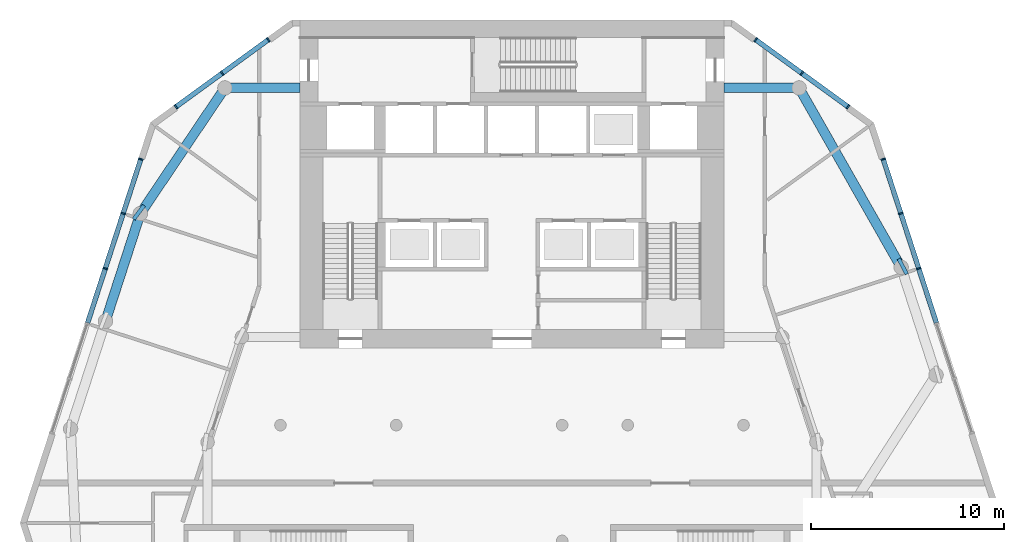
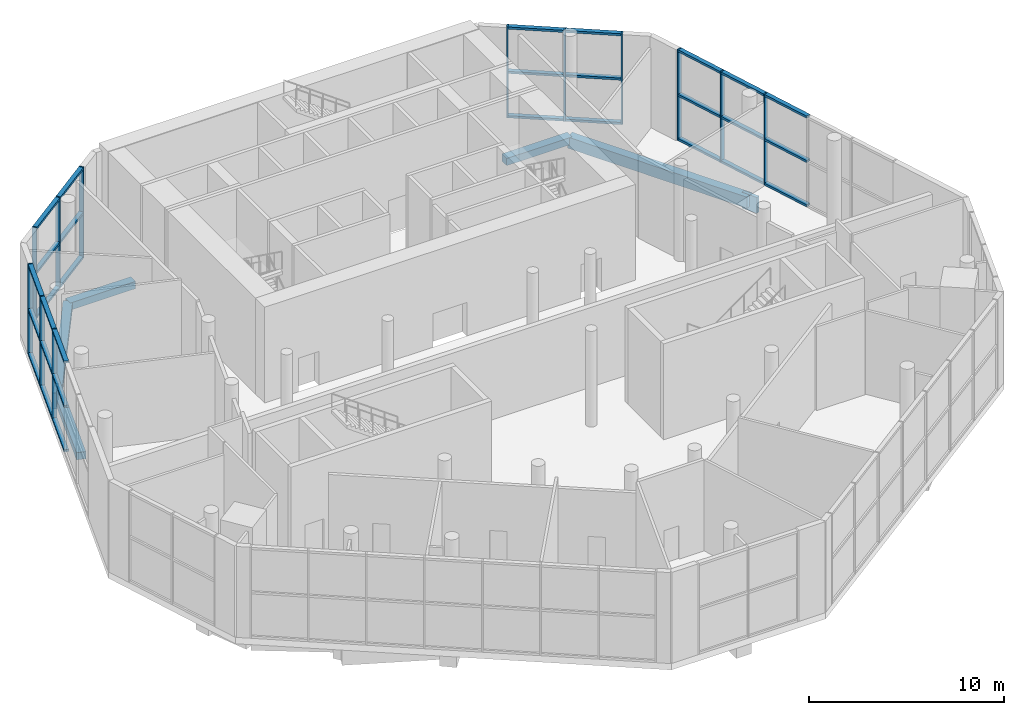
# One storey, part 5 of 14: 42 members, 7 beams, 4 elements without a shape of their own.
"""IFC4 building model written with IfcOpenShell, lengths in metres."""

from ifc_helpers import new_model, si_unit, direction, frame, origin, origin_2d, place, context, subcontext, project, spatial, rectangle, extrude, material, material_profile, profile_set, type_object, element, aggregate, save


model = new_model("IFC4")

# Units and contexts
model_context = context("Model", 3, precision=1e-05, world=origin(), true_north=direction((0.0, 1.0)))
body_context = subcontext(model_context, "Body", "Model", "MODEL_VIEW")
ifc_project = project(units=[si_unit("LENGTHUNIT", "METRE"), si_unit("AREAUNIT", "SQUARE_METRE"), si_unit("VOLUMEUNIT", "CUBIC_METRE"), si_unit("PLANEANGLEUNIT", "RADIAN"), si_unit("MASSUNIT", "GRAM", prefix="KILO")], contexts=[model_context])

# Site, building, storey
site_placement = place(None, origin())
site = spatial("IfcSite", under=ifc_project, at=site_placement, CompositionType="ELEMENT")
building_placement = place(site_placement, origin())
building = spatial("IfcBuilding", under=site, at=building_placement, Name="White Candle Pilgrim Tower", CompositionType="ELEMENT")
storey_placement = place(building_placement, frame((0.0, 0.0, 142.60009765625)))
storey = spatial("IfcBuildingStorey", under=building, at=storey_placement, Name="L32", CompositionType="ELEMENT", Elevation=142.60009765625)

# Curtain wall, members
ifc_material_1 = material(Name="Aluminium and glass", Category="aluminium")
curtain_wall_type = type_object("IfcCurtainWallType", Name="Curtain wall CW4 sky floor glazing", PredefinedType="NOTDEFINED", material=ifc_material_1)
curtain_wall_1_placement = place(storey_placement, origin())
curtain_wall_1 = element("IfcCurtainWall", 1, at=curtain_wall_1_placement, inside=storey, type_object=curtain_wall_type, Name="Curtain wall CW4 L32 ENE", PredefinedType="NOTDEFINED")
ifc_material_2 = material(Name="Aluminium", Category="aluminium")
ifc_material_profile_1 = material_profile(ifc_material_2, rectangle(XDim=0.25, YDim=0.080078125, at=origin_2d()), Name="CW4 mullion 80x250")
ifc_profile_set_1 = profile_set([ifc_material_profile_1], Name="Aluminium")
member_type_1 = type_object("IfcMemberType", Name="CW4 mullion 80x250", PredefinedType="MULLION", material=ifc_profile_set_1)
member_1_placement = place(storey_placement, frame((91.083251953125, 75.11669921875, 0.0), z_axis=(0.0, 0.0, 1.0), x_axis=(-0.951056511069, -0.309017010459, 0.0)))
member_1 = element("IfcMember", 2, at=member_1_placement, type_object=member_type_1, Name="CW4 mullion 4", PredefinedType="MULLION", context=body_context, shape_type="SweptSolid", body=[
    extrude(rectangle(XDim=0.25, YDim=0.080078125, at=origin_2d()), origin(), (0.0, 0.0, 1.0), 5.699951171875),
])
member_2_placement = place(storey_placement, frame((90.156005859375, 77.9697265625, 0.0), z_axis=(0.0, 0.0, 1.0), x_axis=(-0.951056511069, -0.309017010459, 0.0)))
member_2 = element("IfcMember", 3, at=member_2_placement, type_object=member_type_1, Name="CW4 mullion 5", PredefinedType="MULLION", context=body_context, shape_type="SweptSolid", body=[
    extrude(rectangle(XDim=0.25, YDim=0.080078125, at=origin_2d()), origin(), (0.0, 0.0, 1.0), 5.699951171875),
])
member_3_placement = place(storey_placement, frame((89.241455078125, 80.784912109375, 0.0), z_axis=(0.0, 0.0, 1.0), x_axis=(-0.951056511069, -0.309017010459, 0.0)))
member_3 = element("IfcMember", 4, at=member_3_placement, type_object=member_type_1, Name="CW4 mullion 6", PredefinedType="MULLION", context=body_context, shape_type="SweptSolid", body=[
    extrude(rectangle(XDim=0.25, YDim=0.080078125, at=origin_2d()), origin(), (0.0, 0.0, 1.0), 5.699951171875),
])

curtain_wall_2_placement = place(storey_placement, origin())
curtain_wall_2 = element("IfcCurtainWall", 5, at=curtain_wall_2_placement, inside=storey, type_object=curtain_wall_type, Name="Curtain wall CW4 L32 NE chamfer", PredefinedType="NOTDEFINED")
member_4_placement = place(storey_placement, frame((87.41796875, 83.5, 0.0), z_axis=(0.0, 0.0, 1.0), x_axis=(-0.587785276254, -0.809016976966, 0.0)))
member_4 = element("IfcMember", 6, at=member_4_placement, type_object=member_type_1, Name="CW4 mullion 1", PredefinedType="MULLION", context=body_context, shape_type="SweptSolid", body=[
    extrude(rectangle(XDim=0.25, YDim=0.080078125, at=origin_2d()), origin(), (0.0, 0.0, 1.0), 5.699951171875),
])
member_5_placement = place(storey_placement, frame((85.023193359375, 85.239990234375, 0.0), z_axis=(0.0, 0.0, 1.0), x_axis=(-0.587785276254, -0.809016976966, 0.0)))
member_5 = element("IfcMember", 7, at=member_5_placement, type_object=member_type_1, Name="CW4 mullion 2", PredefinedType="MULLION", context=body_context, shape_type="SweptSolid", body=[
    extrude(rectangle(XDim=0.25, YDim=0.080078125, at=origin_2d()), origin(), (0.0, 0.0, 1.0), 5.699951171875),
])
member_6_placement = place(storey_placement, frame((82.628662109375, 86.979736328125, 0.0), z_axis=(0.0, 0.0, 1.0), x_axis=(-0.587785276254, -0.809016976966, 0.0)))
member_6 = element("IfcMember", 8, at=member_6_placement, type_object=member_type_1, Name="CW4 mullion 3", PredefinedType="MULLION", context=body_context, shape_type="SweptSolid", body=[
    extrude(rectangle(XDim=0.25, YDim=0.080078125, at=origin_2d()), origin(), (0.0, 0.0, 1.0), 5.699951171875),
])

curtain_wall_3_placement = place(storey_placement, origin())
curtain_wall_3 = element("IfcCurtainWall", 9, at=curtain_wall_3_placement, inside=storey, type_object=curtain_wall_type, Name="Curtain wall CW4 L32 NW chamfer", PredefinedType="NOTDEFINED")
member_7_placement = place(storey_placement, frame((57.371337890625, 86.979736328125, 0.0), z_axis=(0.0, 0.0, 1.0), x_axis=(0.587785276254, -0.809016976966, 0.0)))
member_7 = element("IfcMember", 10, at=member_7_placement, type_object=member_type_1, Name="CW4 mullion 1", PredefinedType="MULLION", context=body_context, shape_type="SweptSolid", body=[
    extrude(rectangle(XDim=0.25, YDim=0.080078125, at=origin_2d()), origin(), (0.0, 0.0, 1.0), 5.699951171875),
])
member_8_placement = place(storey_placement, frame((54.976806640625, 85.239990234375, 0.0), z_axis=(0.0, 0.0, 1.0), x_axis=(0.587785276254, -0.809016976966, 0.0)))
member_8 = element("IfcMember", 11, at=member_8_placement, type_object=member_type_1, Name="CW4 mullion 2", PredefinedType="MULLION", context=body_context, shape_type="SweptSolid", body=[
    extrude(rectangle(XDim=0.25, YDim=0.080078125, at=origin_2d()), origin(), (0.0, 0.0, 1.0), 5.699951171875),
])
member_9_placement = place(storey_placement, frame((52.58203125, 83.5, 0.0), z_axis=(0.0, 0.0, 1.0), x_axis=(0.587785276254, -0.809016976966, 0.0)))
member_9 = element("IfcMember", 12, at=member_9_placement, type_object=member_type_1, Name="CW4 mullion 3", PredefinedType="MULLION", context=body_context, shape_type="SweptSolid", body=[
    extrude(rectangle(XDim=0.25, YDim=0.080078125, at=origin_2d()), origin(), (0.0, 0.0, 1.0), 5.699951171875),
])

curtain_wall_4_placement = place(storey_placement, origin())
curtain_wall_4 = element("IfcCurtainWall", 13, at=curtain_wall_4_placement, inside=storey, type_object=curtain_wall_type, Name="Curtain wall CW4 L32 WNW", PredefinedType="NOTDEFINED")
member_10_placement = place(storey_placement, frame((50.758544921875, 80.784912109375, 0.0), z_axis=(0.0, 0.0, 1.0), x_axis=(0.951056511085, -0.30901701041, 0.0)))
member_10 = element("IfcMember", 14, at=member_10_placement, type_object=member_type_1, Name="CW4 mullion 1", PredefinedType="MULLION", context=body_context, shape_type="SweptSolid", body=[
    extrude(rectangle(XDim=0.25, YDim=0.080078125, at=origin_2d()), origin(), (0.0, 0.0, 1.0), 5.699951171875),
])
member_11_placement = place(storey_placement, frame((49.843994140625, 77.9697265625, 0.0), z_axis=(0.0, 0.0, 1.0), x_axis=(0.951056511085, -0.30901701041, 0.0)))
member_11 = element("IfcMember", 15, at=member_11_placement, type_object=member_type_1, Name="CW4 mullion 2", PredefinedType="MULLION", context=body_context, shape_type="SweptSolid", body=[
    extrude(rectangle(XDim=0.25, YDim=0.080078125, at=origin_2d()), origin(), (0.0, 0.0, 1.0), 5.699951171875),
])
member_12_placement = place(storey_placement, frame((48.916748046875, 75.11669921875, 0.0), z_axis=(0.0, 0.0, 1.0), x_axis=(0.951056511085, -0.30901701041, 0.0)))
member_12 = element("IfcMember", 16, at=member_12_placement, type_object=member_type_1, Name="CW4 mullion 3", PredefinedType="MULLION", context=body_context, shape_type="SweptSolid", body=[
    extrude(rectangle(XDim=0.25, YDim=0.080078125, at=origin_2d()), origin(), (0.0, 0.0, 1.0), 5.699951171875),
])

# Member
ifc_material_profile_2 = material_profile(ifc_material_2, rectangle(XDim=0.25, YDim=0.139892578125, at=origin_2d()), Name="CW4 transom 140x250")
ifc_profile_set_2 = profile_set([ifc_material_profile_2], Name="Aluminium")
member_type_2 = type_object("IfcMemberType", Name="CW4 transom 140x250", PredefinedType="USERDEFINED", material=ifc_profile_set_2)
member_13_placement = place(storey_placement, frame((91.997802734375, 72.301513671875, 0.06982421875), z_axis=(-0.309019902571, 0.95105557136, 0.0), x_axis=(-0.95105557136, -0.309019902571, 0.0)))
member_13 = element("IfcMember", 17, at=member_13_placement, type_object=member_type_2, Name="CW4 transom 3.1", ObjectType="TRANSOM", PredefinedType="USERDEFINED", context=body_context, shape_type="SweptSolid", body=[
    extrude(rectangle(XDim=0.25, YDim=0.139892578125, at=origin_2d()), origin(), (0.0, 0.0, 1.0), 2.919921875),
])

member_14_placement = place(storey_placement, frame((91.997802734375, 72.301513671875, 2.849853515625), z_axis=(-0.309019902571, 0.95105557136, 0.0), x_axis=(-0.95105557136, -0.309019902571, 0.0)))
member_14 = element("IfcMember", 18, at=member_14_placement, type_object=member_type_2, Name="CW4 transom 3.2", ObjectType="TRANSOM", PredefinedType="USERDEFINED", context=body_context, shape_type="SweptSolid", body=[
    extrude(rectangle(XDim=0.25, YDim=0.139892578125, at=origin_2d()), origin(), (0.0, 0.0, 1.0), 2.919921875),
])

member_15_placement = place(storey_placement, frame((91.997802734375, 72.301513671875, 5.6298828125), z_axis=(-0.309019902571, 0.95105557136, 0.0), x_axis=(-0.95105557136, -0.309019902571, 0.0)))
member_15 = element("IfcMember", 19, at=member_15_placement, type_object=member_type_2, Name="CW4 transom 3.3", ObjectType="TRANSOM", PredefinedType="USERDEFINED", context=body_context, shape_type="SweptSolid", body=[
    extrude(rectangle(XDim=0.25, YDim=0.139892578125, at=origin_2d()), origin(), (0.0, 0.0, 1.0), 2.919921875),
])

member_16_placement = place(storey_placement, frame((91.07080078125, 75.15478515625, 0.06982421875), z_axis=(-0.309019902571, 0.95105557136, 0.0), x_axis=(-0.95105557136, -0.309019902571, 0.0)))
member_16 = element("IfcMember", 20, at=member_16_placement, type_object=member_type_2, Name="CW4 transom 4.1", ObjectType="TRANSOM", PredefinedType="USERDEFINED", context=body_context, shape_type="SweptSolid", body=[
    extrude(rectangle(XDim=0.25, YDim=0.139892578125, at=origin_2d()), origin(), (0.0, 0.0, 1.0), 2.919921875),
])

member_17_placement = place(storey_placement, frame((91.07080078125, 75.15478515625, 2.849853515625), z_axis=(-0.309019902571, 0.95105557136, 0.0), x_axis=(-0.95105557136, -0.309019902571, 0.0)))
member_17 = element("IfcMember", 21, at=member_17_placement, type_object=member_type_2, Name="CW4 transom 4.2", ObjectType="TRANSOM", PredefinedType="USERDEFINED", context=body_context, shape_type="SweptSolid", body=[
    extrude(rectangle(XDim=0.25, YDim=0.139892578125, at=origin_2d()), origin(), (0.0, 0.0, 1.0), 2.919921875),
])

member_18_placement = place(storey_placement, frame((91.07080078125, 75.15478515625, 5.6298828125), z_axis=(-0.309019902571, 0.95105557136, 0.0), x_axis=(-0.95105557136, -0.309019902571, 0.0)))
member_18 = element("IfcMember", 22, at=member_18_placement, type_object=member_type_2, Name="CW4 transom 4.3", ObjectType="TRANSOM", PredefinedType="USERDEFINED", context=body_context, shape_type="SweptSolid", body=[
    extrude(rectangle(XDim=0.25, YDim=0.139892578125, at=origin_2d()), origin(), (0.0, 0.0, 1.0), 2.919921875),
])

member_19_placement = place(storey_placement, frame((90.143798828125, 78.0078125, 0.06982421875), z_axis=(-0.309072654729, 0.951038429349, 0.0), x_axis=(-0.951038429349, -0.309072654729, 0.0)))
member_19 = element("IfcMember", 23, at=member_19_placement, type_object=member_type_2, Name="CW4 transom 5.1", ObjectType="TRANSOM", PredefinedType="USERDEFINED", context=body_context, shape_type="SweptSolid", body=[
    extrude(rectangle(XDim=0.25, YDim=0.139892578125, at=origin_2d()), origin(), (0.0, 0.0, 1.0), 2.880126953125),
])

member_20_placement = place(storey_placement, frame((90.143798828125, 78.0078125, 2.849853515625), z_axis=(-0.309072654729, 0.951038429349, 0.0), x_axis=(-0.951038429349, -0.309072654729, 0.0)))
member_20 = element("IfcMember", 24, at=member_20_placement, type_object=member_type_2, Name="CW4 transom 5.2", ObjectType="TRANSOM", PredefinedType="USERDEFINED", context=body_context, shape_type="SweptSolid", body=[
    extrude(rectangle(XDim=0.25, YDim=0.139892578125, at=origin_2d()), origin(), (0.0, 0.0, 1.0), 2.880126953125),
])

member_21_placement = place(storey_placement, frame((90.143798828125, 78.0078125, 5.6298828125), z_axis=(-0.309072654729, 0.951038429349, 0.0), x_axis=(-0.951038429349, -0.309072654729, 0.0)))
member_21 = element("IfcMember", 25, at=member_21_placement, type_object=member_type_2, Name="CW4 transom 5.3", ObjectType="TRANSOM", PredefinedType="USERDEFINED", context=body_context, shape_type="SweptSolid", body=[
    extrude(rectangle(XDim=0.25, YDim=0.139892578125, at=origin_2d()), origin(), (0.0, 0.0, 1.0), 2.880126953125),
])

aggregate(curtain_wall_1, [member_1, member_2, member_3, member_13, member_14, member_15, member_16, member_17, member_18, member_19, member_20, member_21])

member_22_placement = place(storey_placement, frame((87.385498046875, 83.523681640625, 0.06982421875), z_axis=(-0.808992618726, 0.587818801032, 0.0), x_axis=(-0.587818801032, -0.808992618726, 0.0)))
member_22 = element("IfcMember", 26, at=member_22_placement, type_object=member_type_2, Name="CW4 transom 1.1", ObjectType="TRANSOM", PredefinedType="USERDEFINED", context=body_context, shape_type="SweptSolid", body=[
    extrude(rectangle(XDim=0.25, YDim=0.139892578125, at=origin_2d()), origin(), (0.0, 0.0, 1.0), 2.8798828125),
])

member_23_placement = place(storey_placement, frame((87.385498046875, 83.523681640625, 2.849853515625), z_axis=(-0.808992618726, 0.587818801032, 0.0), x_axis=(-0.587818801032, -0.808992618726, 0.0)))
member_23 = element("IfcMember", 27, at=member_23_placement, type_object=member_type_2, Name="CW4 transom 1.2", ObjectType="TRANSOM", PredefinedType="USERDEFINED", context=body_context, shape_type="SweptSolid", body=[
    extrude(rectangle(XDim=0.25, YDim=0.139892578125, at=origin_2d()), origin(), (0.0, 0.0, 1.0), 2.8798828125),
])

member_24_placement = place(storey_placement, frame((87.385498046875, 83.523681640625, 5.6298828125), z_axis=(-0.808992618726, 0.587818801032, 0.0), x_axis=(-0.587818801032, -0.808992618726, 0.0)))
member_24 = element("IfcMember", 28, at=member_24_placement, type_object=member_type_2, Name="CW4 transom 1.3", ObjectType="TRANSOM", PredefinedType="USERDEFINED", context=body_context, shape_type="SweptSolid", body=[
    extrude(rectangle(XDim=0.25, YDim=0.139892578125, at=origin_2d()), origin(), (0.0, 0.0, 1.0), 2.8798828125),
])

member_25_placement = place(storey_placement, frame((84.990966796875, 85.263427734375, 0.06982421875), z_axis=(-0.809021907548, 0.58777848983, 0.0), x_axis=(-0.58777848983, -0.809021907548, 0.0)))
member_25 = element("IfcMember", 29, at=member_25_placement, type_object=member_type_2, Name="CW4 transom 2.1", ObjectType="TRANSOM", PredefinedType="USERDEFINED", context=body_context, shape_type="SweptSolid", body=[
    extrude(rectangle(XDim=0.25, YDim=0.139892578125, at=origin_2d()), origin(), (0.0, 0.0, 1.0), 2.880126953125),
])

member_26_placement = place(storey_placement, frame((84.990966796875, 85.263427734375, 2.849853515625), z_axis=(-0.809021907548, 0.58777848983, 0.0), x_axis=(-0.58777848983, -0.809021907548, 0.0)))
member_26 = element("IfcMember", 30, at=member_26_placement, type_object=member_type_2, Name="CW4 transom 2.2", ObjectType="TRANSOM", PredefinedType="USERDEFINED", context=body_context, shape_type="SweptSolid", body=[
    extrude(rectangle(XDim=0.25, YDim=0.139892578125, at=origin_2d()), origin(), (0.0, 0.0, 1.0), 2.880126953125),
])

member_27_placement = place(storey_placement, frame((84.990966796875, 85.263427734375, 5.6298828125), z_axis=(-0.809021907548, 0.58777848983, 0.0), x_axis=(-0.58777848983, -0.809021907548, 0.0)))
member_27 = element("IfcMember", 31, at=member_27_placement, type_object=member_type_2, Name="CW4 transom 2.3", ObjectType="TRANSOM", PredefinedType="USERDEFINED", context=body_context, shape_type="SweptSolid", body=[
    extrude(rectangle(XDim=0.25, YDim=0.139892578125, at=origin_2d()), origin(), (0.0, 0.0, 1.0), 2.880126953125),
])

aggregate(curtain_wall_2, [member_4, member_5, member_6, member_22, member_23, member_24, member_25, member_26, member_27])

member_28_placement = place(storey_placement, frame((57.339111328125, 86.956298828125, 0.06982421875), z_axis=(-0.809021907548, -0.58777848983, 0.0), x_axis=(0.58777848983, -0.809021907548, 0.0)))
member_28 = element("IfcMember", 32, at=member_28_placement, type_object=member_type_2, Name="CW4 transom 1.1", ObjectType="TRANSOM", PredefinedType="USERDEFINED", context=body_context, shape_type="SweptSolid", body=[
    extrude(rectangle(XDim=0.25, YDim=0.139892578125, at=origin_2d()), origin(), (0.0, 0.0, 1.0), 2.880126953125),
])

member_29_placement = place(storey_placement, frame((57.339111328125, 86.956298828125, 2.849853515625), z_axis=(-0.809021907548, -0.58777848983, 0.0), x_axis=(0.58777848983, -0.809021907548, 0.0)))
member_29 = element("IfcMember", 33, at=member_29_placement, type_object=member_type_2, Name="CW4 transom 1.2", ObjectType="TRANSOM", PredefinedType="USERDEFINED", context=body_context, shape_type="SweptSolid", body=[
    extrude(rectangle(XDim=0.25, YDim=0.139892578125, at=origin_2d()), origin(), (0.0, 0.0, 1.0), 2.880126953125),
])

member_30_placement = place(storey_placement, frame((57.339111328125, 86.956298828125, 5.6298828125), z_axis=(-0.809021907548, -0.58777848983, 0.0), x_axis=(0.58777848983, -0.809021907548, 0.0)))
member_30 = element("IfcMember", 34, at=member_30_placement, type_object=member_type_2, Name="CW4 transom 1.3", ObjectType="TRANSOM", PredefinedType="USERDEFINED", context=body_context, shape_type="SweptSolid", body=[
    extrude(rectangle(XDim=0.25, YDim=0.139892578125, at=origin_2d()), origin(), (0.0, 0.0, 1.0), 2.880126953125),
])

member_31_placement = place(storey_placement, frame((54.9443359375, 85.216552734375, 0.06982421875), z_axis=(-0.808992618726, -0.587818801032, 0.0), x_axis=(0.587818801032, -0.808992618726, 0.0)))
member_31 = element("IfcMember", 35, at=member_31_placement, type_object=member_type_2, Name="CW4 transom 2.1", ObjectType="TRANSOM", PredefinedType="USERDEFINED", context=body_context, shape_type="SweptSolid", body=[
    extrude(rectangle(XDim=0.25, YDim=0.139892578125, at=origin_2d()), origin(), (0.0, 0.0, 1.0), 2.8798828125),
])

member_32_placement = place(storey_placement, frame((54.9443359375, 85.216552734375, 2.849853515625), z_axis=(-0.808992618726, -0.587818801032, 0.0), x_axis=(0.587818801032, -0.808992618726, 0.0)))
member_32 = element("IfcMember", 36, at=member_32_placement, type_object=member_type_2, Name="CW4 transom 2.2", ObjectType="TRANSOM", PredefinedType="USERDEFINED", context=body_context, shape_type="SweptSolid", body=[
    extrude(rectangle(XDim=0.25, YDim=0.139892578125, at=origin_2d()), origin(), (0.0, 0.0, 1.0), 2.8798828125),
])

member_33_placement = place(storey_placement, frame((54.9443359375, 85.216552734375, 5.6298828125), z_axis=(-0.808992618726, -0.587818801032, 0.0), x_axis=(0.587818801032, -0.808992618726, 0.0)))
member_33 = element("IfcMember", 37, at=member_33_placement, type_object=member_type_2, Name="CW4 transom 2.3", ObjectType="TRANSOM", PredefinedType="USERDEFINED", context=body_context, shape_type="SweptSolid", body=[
    extrude(rectangle(XDim=0.25, YDim=0.139892578125, at=origin_2d()), origin(), (0.0, 0.0, 1.0), 2.8798828125),
])

aggregate(curtain_wall_3, [member_7, member_8, member_9, member_28, member_29, member_30, member_31, member_32, member_33])

member_34_placement = place(storey_placement, frame((50.746337890625, 80.746826171875, 0.06982421875), z_axis=(-0.309072654729, -0.951038429349, 0.0), x_axis=(0.951038429349, -0.309072654729, 0.0)))
member_34 = element("IfcMember", 38, at=member_34_placement, type_object=member_type_2, Name="CW4 transom 1.1", ObjectType="TRANSOM", PredefinedType="USERDEFINED", context=body_context, shape_type="SweptSolid", body=[
    extrude(rectangle(XDim=0.25, YDim=0.139892578125, at=origin_2d()), origin(), (0.0, 0.0, 1.0), 2.880126953125),
])

member_35_placement = place(storey_placement, frame((50.746337890625, 80.746826171875, 2.849853515625), z_axis=(-0.309072654729, -0.951038429349, 0.0), x_axis=(0.951038429349, -0.309072654729, 0.0)))
member_35 = element("IfcMember", 39, at=member_35_placement, type_object=member_type_2, Name="CW4 transom 1.2", ObjectType="TRANSOM", PredefinedType="USERDEFINED", context=body_context, shape_type="SweptSolid", body=[
    extrude(rectangle(XDim=0.25, YDim=0.139892578125, at=origin_2d()), origin(), (0.0, 0.0, 1.0), 2.880126953125),
])

member_36_placement = place(storey_placement, frame((50.746337890625, 80.746826171875, 5.6298828125), z_axis=(-0.309072654729, -0.951038429349, 0.0), x_axis=(0.951038429349, -0.309072654729, 0.0)))
member_36 = element("IfcMember", 40, at=member_36_placement, type_object=member_type_2, Name="CW4 transom 1.3", ObjectType="TRANSOM", PredefinedType="USERDEFINED", context=body_context, shape_type="SweptSolid", body=[
    extrude(rectangle(XDim=0.25, YDim=0.139892578125, at=origin_2d()), origin(), (0.0, 0.0, 1.0), 2.880126953125),
])

member_37_placement = place(storey_placement, frame((49.83154296875, 77.931884765625, 0.06982421875), z_axis=(-0.309019902571, -0.95105557136, 0.0), x_axis=(0.95105557136, -0.309019902571, 0.0)))
member_37 = element("IfcMember", 41, at=member_37_placement, type_object=member_type_2, Name="CW4 transom 2.1", ObjectType="TRANSOM", PredefinedType="USERDEFINED", context=body_context, shape_type="SweptSolid", body=[
    extrude(rectangle(XDim=0.25, YDim=0.139892578125, at=origin_2d()), origin(), (0.0, 0.0, 1.0), 2.919921875),
])

member_38_placement = place(storey_placement, frame((49.83154296875, 77.931884765625, 2.849853515625), z_axis=(-0.309019902571, -0.95105557136, 0.0), x_axis=(0.95105557136, -0.309019902571, 0.0)))
member_38 = element("IfcMember", 42, at=member_38_placement, type_object=member_type_2, Name="CW4 transom 2.2", ObjectType="TRANSOM", PredefinedType="USERDEFINED", context=body_context, shape_type="SweptSolid", body=[
    extrude(rectangle(XDim=0.25, YDim=0.139892578125, at=origin_2d()), origin(), (0.0, 0.0, 1.0), 2.919921875),
])

member_39_placement = place(storey_placement, frame((49.83154296875, 77.931884765625, 5.6298828125), z_axis=(-0.309019902571, -0.95105557136, 0.0), x_axis=(0.95105557136, -0.309019902571, 0.0)))
member_39 = element("IfcMember", 43, at=member_39_placement, type_object=member_type_2, Name="CW4 transom 2.3", ObjectType="TRANSOM", PredefinedType="USERDEFINED", context=body_context, shape_type="SweptSolid", body=[
    extrude(rectangle(XDim=0.25, YDim=0.139892578125, at=origin_2d()), origin(), (0.0, 0.0, 1.0), 2.919921875),
])

member_40_placement = place(storey_placement, frame((48.904541015625, 75.07861328125, 0.06982421875), z_axis=(-0.309019902571, -0.95105557136, 0.0), x_axis=(0.95105557136, -0.309019902571, 0.0)))
member_40 = element("IfcMember", 44, at=member_40_placement, type_object=member_type_2, Name="CW4 transom 3.1", ObjectType="TRANSOM", PredefinedType="USERDEFINED", context=body_context, shape_type="SweptSolid", body=[
    extrude(rectangle(XDim=0.25, YDim=0.139892578125, at=origin_2d()), origin(), (0.0, 0.0, 1.0), 2.919921875),
])

member_41_placement = place(storey_placement, frame((48.904541015625, 75.07861328125, 2.849853515625), z_axis=(-0.309019902571, -0.95105557136, 0.0), x_axis=(0.95105557136, -0.309019902571, 0.0)))
member_41 = element("IfcMember", 45, at=member_41_placement, type_object=member_type_2, Name="CW4 transom 3.2", ObjectType="TRANSOM", PredefinedType="USERDEFINED", context=body_context, shape_type="SweptSolid", body=[
    extrude(rectangle(XDim=0.25, YDim=0.139892578125, at=origin_2d()), origin(), (0.0, 0.0, 1.0), 2.919921875),
])

member_42_placement = place(storey_placement, frame((48.904541015625, 75.07861328125, 5.6298828125), z_axis=(-0.309019902571, -0.95105557136, 0.0), x_axis=(0.95105557136, -0.309019902571, 0.0)))
member_42 = element("IfcMember", 46, at=member_42_placement, type_object=member_type_2, Name="CW4 transom 3.3", ObjectType="TRANSOM", PredefinedType="USERDEFINED", context=body_context, shape_type="SweptSolid", body=[
    extrude(rectangle(XDim=0.25, YDim=0.139892578125, at=origin_2d()), origin(), (0.0, 0.0, 1.0), 2.919921875),
])

aggregate(curtain_wall_4, [member_10, member_11, member_12, member_34, member_35, member_36, member_37, member_38, member_39, member_40, member_41, member_42])

# Beams
ifc_material_3 = material(Name="Concrete C50/60", Category="concrete")
ifc_material_profile_3 = material_profile(ifc_material_3, rectangle(XDim=0.5, YDim=0.449951171875, at=origin_2d()), Name="RC-BM 500x450")
ifc_profile_set_3 = profile_set([ifc_material_profile_3], Name="Concrete C50/60")
beam_type_1 = type_object("IfcBeamType", Name="Spandrel beam RC-BM 500x450 C50/60", PredefinedType="BEAM", material=ifc_profile_set_3)
for number, where, z_axis, x_axis, name in (
    (47, (84.8798828125, 84.47998046875, -0.625), (-1.0, 0.0, 0.0), (0.0, -1.0, 0.0), "L32 spandrel beam T12"),
    (48, (55.1201171875, 84.47998046875, -0.625), (1.0, 0.0, 0.0), (0.0, 1.0, 0.0), "L32 spandrel beam T13"),
):
    element("IfcBeam", number, at=place(storey_placement, frame(where, z_axis=z_axis, x_axis=x_axis)), inside=storey, type_object=beam_type_1, Name=name, PredefinedType="BEAM", context=body_context, shape_type="SweptSolid", body=[
        extrude(rectangle(XDim=0.5, YDim=0.449951171875, at=origin_2d()), origin(), (0.0, 0.0, 1.0), 3.8798828125),
    ])
beam_1_placement = place(storey_placement, frame((55.1201171875, 84.47998046875, -0.625), z_axis=(-0.558235111316, -0.829682807159, 0.0), x_axis=(0.829682807159, -0.558235111316, 0.0)))
element("IfcBeam", 49, at=beam_1_placement, inside=storey, type_object=beam_type_1, Name="L32 spandrel beam T14", PredefinedType="BEAM", context=body_context, shape_type="SweptSolid", body=[
    extrude(rectangle(XDim=0.5, YDim=0.449951171875, at=origin_2d()), origin(), (0.0, 0.0, 1.0), 7.846435546875),
])
beam_2_placement = place(storey_placement, frame((50.739990234375, 77.969970703125, -0.625), z_axis=(-0.308551513817, -0.951207634179, 0.0), x_axis=(0.951207634179, -0.308551513817, 0.0)))
element("IfcBeam", 50, at=beam_2_placement, inside=storey, type_object=beam_type_1, Name="L32 spandrel beam T15", PredefinedType="BEAM", context=body_context, shape_type="SweptSolid", body=[
    extrude(rectangle(XDim=0.5, YDim=0.449951171875, at=origin_2d()), origin(), (0.0, 0.0, 1.0), 5.8662109375),
])
ifc_material_profile_4 = material_profile(ifc_material_3, rectangle(XDim=0.5, YDim=0.699951171875, at=origin_2d()), Name="RC-BM 500x700")
ifc_profile_set_4 = profile_set([ifc_material_profile_4], Name="Concrete C50/60")
beam_type_2 = type_object("IfcBeamType", Name="Spandrel beam RC-BM 500x700 C50/60", PredefinedType="BEAM", material=ifc_profile_set_4)
beam_3_placement = place(storey_placement, frame((90.169921875, 75.179931640625, -0.75), z_axis=(-0.494427653884, 0.869218784355, 0.0), x_axis=(-0.869218784355, -0.494427653884, 0.0)))
element("IfcBeam", 51, at=beam_3_placement, inside=storey, type_object=beam_type_2, Name="L32 spandrel beam T11", PredefinedType="BEAM", context=body_context, shape_type="SweptSolid", body=[
    extrude(rectangle(XDim=0.5, YDim=0.699951171875, at=origin_2d()), origin(), (0.0, 0.0, 1.0), 10.69921875),
])
ifc_material_profile_5 = material_profile(ifc_material_3, rectangle(XDim=0.89990234375, YDim=1.0, at=origin_2d()), Name="RC-BM 900x1000")
ifc_profile_set_5 = profile_set([ifc_material_profile_5], Name="Concrete C50/60")
beam_type_3 = type_object("IfcBeamType", Name="Transfer girder RC-BM 900x1000 C50/60", PredefinedType="BEAM", material=ifc_profile_set_5)
beam_4_placement = place(storey_placement, frame((50.580078125, 78.090087890625, -0.900146484375), z_axis=(0.799560332416, -0.60058577641, 0.0), x_axis=(0.60058577641, 0.799560332416, 0.0)))
element("IfcBeam", 52, at=beam_4_placement, inside=storey, type_object=beam_type_3, Name="L32 transfer girder X32", PredefinedType="BEAM", context=body_context, shape_type="SweptSolid", body=[
    extrude(rectangle(XDim=0.89990234375, YDim=1.0, at=origin_2d()), origin(), (0.0, 0.0, 1.0), 0.199951171875),
])
beam_5_placement = place(storey_placement, frame((90.340087890625, 75.27001953125, -0.900146484375), z_axis=(-0.883787916347, -0.467887720419, 0.0), x_axis=(0.467887720419, -0.883787916347, 0.0)))
element("IfcBeam", 53, at=beam_5_placement, inside=storey, type_object=beam_type_3, Name="L32 transfer girder X34", PredefinedType="BEAM", context=body_context, shape_type="SweptSolid", body=[
    extrude(rectangle(XDim=0.89990234375, YDim=1.0, at=origin_2d()), origin(), (0.0, 0.0, 1.0), 0.192626953125),
])

save(model, "model.ifc")
